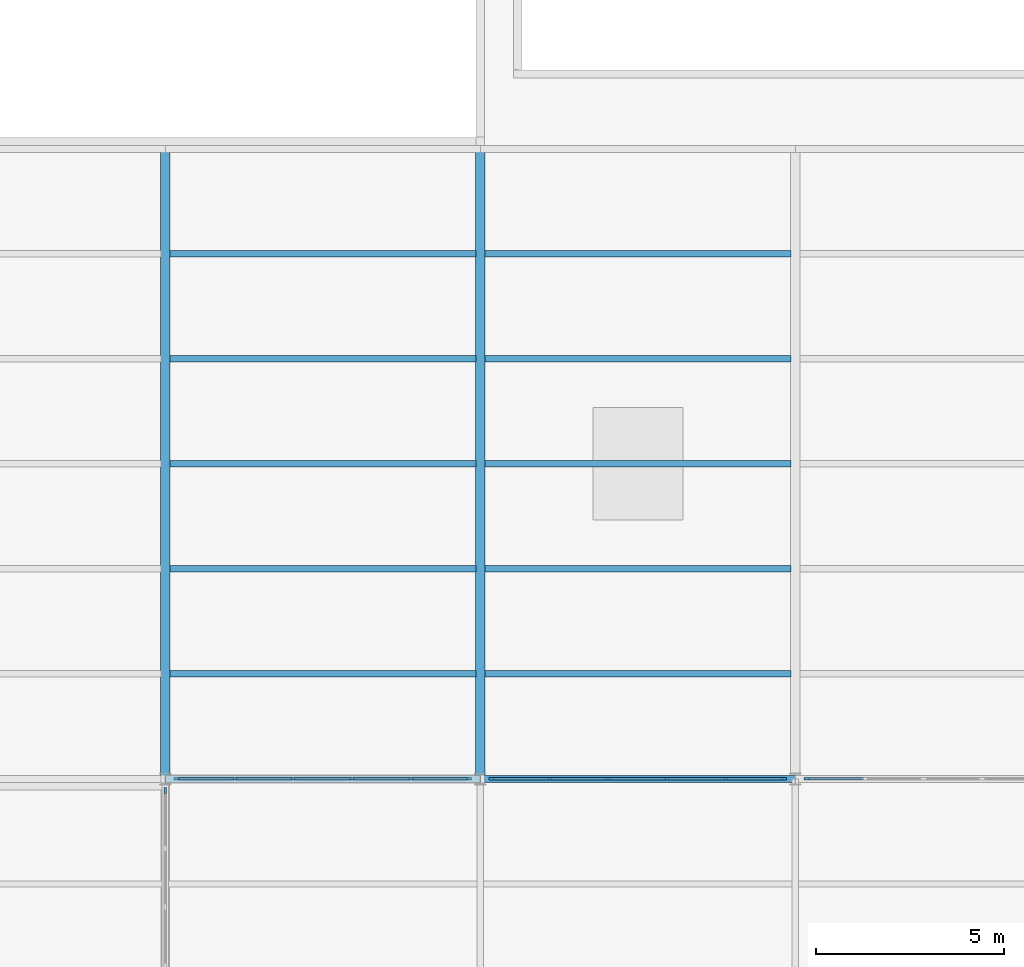
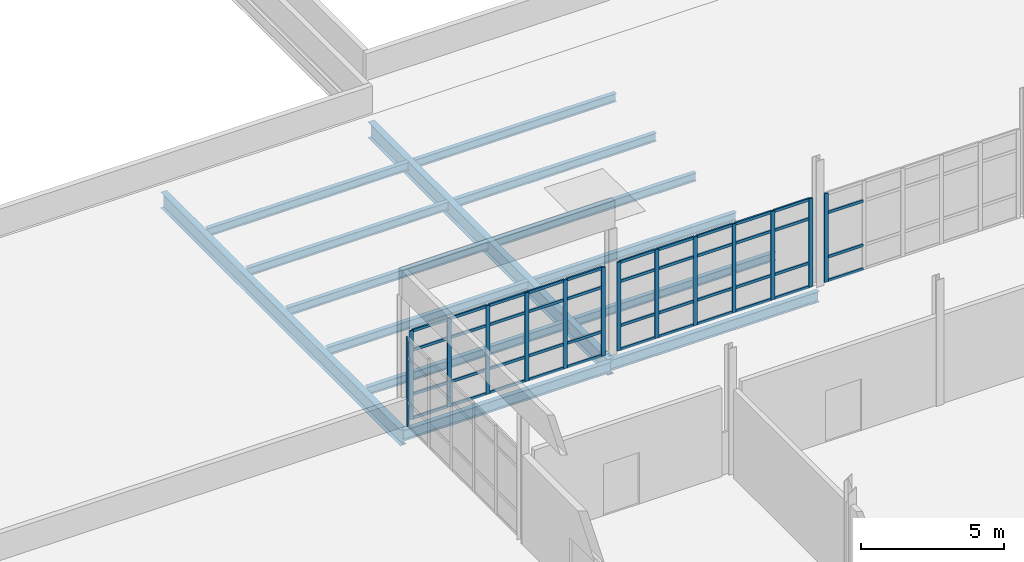
# One storey, part 18 of 33: 57 members, 14 beams, 4 elements without a shape of their own.
"""IFC4 building model written with IfcOpenShell, lengths in metres."""

import ifcopenshell
import ifcopenshell.guid

model = None  # the IFC model being written
_history = None  # IfcOwnerHistory: only IFC2X3 demands one
_inside = {}  # id of a spatial element -> (the spatial element, [elements in it])
_under = {}  # id of a project, library or spatial element -> (it, [spatial elements below it])
_declared = {}  # id of a project -> (the project, [libraries it declares])
_typed = {}  # id of a type object -> (the type object, [elements of that type])
_made_of = {}  # id of a material, layer set ... -> (it, [elements and type objects made of it])


def new_model(schema):
    """Start an empty IFC model of exactly this schema.

    Asked for "IFC4X3", IfcOpenShell would pick the latest addendum, in which some entities
    have other attributes; the version numbers below select the first issue.
    IFC2X3 requires an IfcOwnerHistory on every rooted entity: one is made here for all.
    """
    global model, _history
    if schema == "IFC4X3":
        model = ifcopenshell.file(schema_version=(4, 3, 0, 0))
    else:
        model = ifcopenshell.file(schema=schema)
    _inside.clear()
    _under.clear()
    _declared.clear()
    _typed.clear()
    _made_of.clear()
    _history = None
    if model.schema == "IFC2X3":
        org = make("IfcOrganization", Name="unknown")
        user = make(
            "IfcPersonAndOrganization",
            ThePerson=make("IfcPerson", FamilyName="unknown"),
            TheOrganization=org,
        )
        app = make(
            "IfcApplication",
            ApplicationDeveloper=org,
            Version="unknown",
            ApplicationFullName="unknown",
            ApplicationIdentifier="unknown",
        )
        _history = make(
            "IfcOwnerHistory",
            OwningUser=user,
            OwningApplication=app,
            ChangeAction="ADDED",
            CreationDate=0,
        )
    return model


def make(cls, **values):
    """One entity of the class cls with the attributes given. An attribute that is None is left unset."""
    return model.create_entity(
        cls, **{name: value for name, value in values.items() if value is not None}
    )


def rooted(cls, **values):
    """An entity with a GlobalId (a new one), such as an element, a storey or a relation."""
    return make(cls, GlobalId=ifcopenshell.guid.new(), OwnerHistory=_history, **values)


def si_unit(unit_type, name, prefix=None):
    """IfcSIUnit, for example si_unit("LENGTHUNIT", "METRE", prefix="MILLI")."""
    return make("IfcSIUnit", UnitType=unit_type, Prefix=prefix, Name=name)


def assignment(units):
    """IfcUnitAssignment: the units of a project."""
    return None if units is None else make("IfcUnitAssignment", Units=units)


def point(xyz):
    """IfcCartesianPoint."""
    return None if xyz is None else make("IfcCartesianPoint", Coordinates=xyz)


def direction(xyz):
    """IfcDirection."""
    return None if xyz is None else make("IfcDirection", DirectionRatios=xyz)


def frame(location, z_axis=None, x_axis=None):
    """IfcAxis2Placement3D, a coordinate frame: its origin and axes. An axis left out is left unset."""
    return make(
        "IfcAxis2Placement3D",
        Location=point(location),
        Axis=direction(z_axis),
        RefDirection=direction(x_axis),
    )


def frame_2d(location, x_axis=None):
    """IfcAxis2Placement2D, a coordinate frame in the plane: its origin and x axis."""
    return make(
        "IfcAxis2Placement2D", Location=point(location), RefDirection=direction(x_axis)
    )


def origin():
    """The frame at (0, 0, 0) with its axes left unset."""
    return frame((0.0, 0.0, 0.0))


def origin_2d():
    """The frame at (0, 0) in the plane with its x axis left unset."""
    return frame_2d((0.0, 0.0))


def place(relative_to, where):
    """IfcLocalPlacement: puts the frame where relative to a parent placement (None: the world)."""
    return make(
        "IfcLocalPlacement", PlacementRelTo=relative_to, RelativePlacement=where
    )


def context(
    kind, dimensions, precision=None, world=None, true_north=None, identifier=None
):
    """IfcGeometricRepresentationContext, for example the 3D "Model" context."""
    return make(
        "IfcGeometricRepresentationContext",
        ContextIdentifier=identifier,
        ContextType=kind,
        CoordinateSpaceDimension=dimensions,
        Precision=precision,
        WorldCoordinateSystem=world,
        TrueNorth=true_north,
    )


def subcontext(parent, identifier, kind, view, scale=None):
    """IfcGeometricRepresentationSubContext, for example "Body" below "Model"."""
    return make(
        "IfcGeometricRepresentationSubContext",
        ContextIdentifier=identifier,
        ContextType=kind,
        ParentContext=parent,
        TargetScale=scale,
        TargetView=view,
    )


def project(units=None, contexts=None):
    """IfcProject with its units and contexts."""
    return rooted(
        "IfcProject",
        Name="project",
        RepresentationContexts=contexts,
        UnitsInContext=assignment(units),
    )


def spatial(cls, under=None, at=None, **own):
    """A site, building, storey or space (cls), placed at a placement, below another one or the project."""
    s = rooted(cls, ObjectPlacement=at, **own)
    if under is not None:
        _under.setdefault(under.id(), (under, []))[1].append(s)
    return s


def profile(cls, at=None, kind="AREA", **sizes):
    """A parametric profile (cls). Its sizes go by their IFC names, for example OverallWidth=200.0."""
    return make(cls, ProfileType=kind, Position=at, **sizes)


def rectangle(**sizes):
    """IfcRectangleProfileDef."""
    return profile("IfcRectangleProfileDef", **sizes)


def i_section(**sizes):
    """IfcIShapeProfileDef."""
    return profile("IfcIShapeProfileDef", **sizes)


def extrude(swept, where, along, depth):
    """IfcExtrudedAreaSolid: the profile swept, set in the frame where, extruded along a direction by depth."""
    return make(
        "IfcExtrudedAreaSolid",
        SweptArea=swept,
        Position=where,
        ExtrudedDirection=direction(along),
        Depth=depth,
    )


def shape(context_of_items, identifier, shape_type, items):
    """IfcShapeRepresentation: the items that make up one representation, for example the "Body"."""
    return make(
        "IfcShapeRepresentation",
        ContextOfItems=context_of_items,
        RepresentationIdentifier=identifier,
        RepresentationType=shape_type,
        Items=items,
    )


def material(Name=None, Category=None):
    """IfcMaterial."""
    return make("IfcMaterial", Name=Name, Category=Category)


def layer(
    of_material, thickness, ventilated=None, Name=None, Category=None, Priority=None
):
    """IfcMaterialLayer: one layer of a wall or slab, of a material (None: an air gap)."""
    return make(
        "IfcMaterialLayer",
        Material=of_material,
        LayerThickness=thickness,
        IsVentilated=ventilated,
        Name=Name,
        Category=Category,
        Priority=Priority,
    )


def layer_set(layers, Name=None):
    """IfcMaterialLayerSet."""
    return make("IfcMaterialLayerSet", MaterialLayers=layers, LayerSetName=Name)


def material_profile(
    of_material, cross_section, Name=None, Category=None, Priority=None
):
    """IfcMaterialProfile: a cross section and its material."""
    return make(
        "IfcMaterialProfile",
        Name=Name,
        Material=of_material,
        Profile=cross_section,
        Priority=Priority,
        Category=Category,
    )


def profile_set(profiles, Name=None, composite=None):
    """IfcMaterialProfileSet."""
    return make(
        "IfcMaterialProfileSet",
        Name=Name,
        MaterialProfiles=profiles,
        CompositeProfile=composite,
    )


def made_of(thing, what):
    """Note that an element or type object is made of a material, layer set ...; save() writes the relation."""
    if what is not None:
        _made_of.setdefault(what.id(), (what, []))[1].append(thing)
    return thing


def type_object(cls, material=None, **own):
    """A type object (cls), such as IfcWallType, which elements share."""
    return made_of(rooted(cls, **own), material)


def element(
    cls,
    number,
    at=None,
    inside=None,
    cuts=None,
    type_object=None,
    material=None,
    context=None,
    identifier="Body",
    shape_type=None,
    held_by="IfcProductDefinitionShape",
    body=None,
    shapes=None,
    **own,
):
    """One element of the class cls, such as IfcWall. Its Tag is "e" and its number.

    at: its placement. inside: the storey or other place that contains it. cuts: it is an
    opening in that element (IfcRelVoidsElement). A single representation is given by context,
    identifier, shape_type and body (its items); several are given by shapes. held_by: the class
    of the entity that holds the representations. save() writes the other relations.
    """
    e = rooted(cls, Tag="e%d" % number, ObjectPlacement=at, **own)
    if body is not None:
        shapes = [shape(context, identifier, shape_type, body)]
    if shapes is not None:
        e.Representation = make(held_by, Representations=shapes)
    if inside is not None:
        _inside.setdefault(inside.id(), (inside, []))[1].append(e)
    if cuts is not None:
        rooted(
            "IfcRelVoidsElement", RelatingBuildingElement=cuts, RelatedOpeningElement=e
        )
    if type_object is not None:
        _typed.setdefault(type_object.id(), (type_object, []))[1].append(e)
    return made_of(e, material)


def aggregate(whole, parts):
    """IfcRelAggregates: a whole, such as a stair, and the parts it consists of."""
    return rooted("IfcRelAggregates", RelatingObject=whole, RelatedObjects=parts)


def save(model, path):
    """Write the relations noted so far, then the file.

    IfcRelAggregates (storeys below a building ...), IfcRelContainedInSpatialStructure (elements
    in a storey), IfcRelDefinesByType, IfcRelAssociatesMaterial and IfcRelDeclares: one each for
    every whole, place, type object, material and project.
    """
    for whole, parts in _under.values():
        aggregate(whole, parts)
    for where, things in _inside.values():
        rooted(
            "IfcRelContainedInSpatialStructure",
            RelatedElements=things,
            RelatingStructure=where,
        )
    for kind, things in _typed.values():
        rooted("IfcRelDefinesByType", RelatedObjects=things, RelatingType=kind)
    for what, things in _made_of.values():
        rooted("IfcRelAssociatesMaterial", RelatedObjects=things, RelatingMaterial=what)
    for by, libraries in _declared.values():
        rooted("IfcRelDeclares", RelatingContext=by, RelatedDefinitions=libraries)
    model.write(path)


model = new_model("IFC4")

# Units and contexts
model_context = context("Model", 3, precision=1e-05, world=origin(), true_north=direction((0.0, 1.0)))
body_context = subcontext(model_context, "Body", "Model", "MODEL_VIEW")
ifc_project = project(units=[si_unit("LENGTHUNIT", "METRE"), si_unit("AREAUNIT", "SQUARE_METRE"), si_unit("VOLUMEUNIT", "CUBIC_METRE"), si_unit("PLANEANGLEUNIT", "RADIAN"), si_unit("MASSUNIT", "GRAM", prefix="KILO"), si_unit("THERMODYNAMICTEMPERATUREUNIT", "KELVIN"), si_unit("POWERUNIT", "WATT")], contexts=[model_context])

# Site, building, storey
site_placement = place(None, origin())
site = spatial("IfcSite", under=ifc_project, at=site_placement, CompositionType="ELEMENT")
building_placement = place(site_placement, origin())
building = spatial("IfcBuilding", under=site, at=building_placement, Name="Tembeka Court Mobility Hub", CompositionType="ELEMENT")
storey_placement = place(building_placement, frame((0.0, 0.0, 23.39990234375)))
storey = spatial("IfcBuildingStorey", under=building, at=storey_placement, Name="L06", CompositionType="ELEMENT", Elevation=23.39990234375)

# Beams
ifc_material_1 = material(Name="Steel S355", Category="steel")
ifc_material_profile_1 = material_profile(ifc_material_1, i_section(OverallWidth=0.18994140625, OverallDepth=0.45703125, WebThickness=0.009033203125, FlangeThickness=0.014404296875, FilletRadius=0.01025390625, at=origin_2d()), Name="UKB 457x191x74")
ifc_profile_set_1 = profile_set([ifc_material_profile_1], Name="Steel S355")
beam_type_1 = type_object("IfcBeamType", Name="BM-B01", PredefinedType="BEAM", material=ifc_profile_set_1)
for number, where, z_axis, x_axis, name in (
    (1, (33.60009765625, 80.39990234375, -0.54833984375), (1.0, 0.0, 0.0), (0.0, 1.0, 0.0), "Beam B01 (BM-L06-X3166)"),
    (2, (42.0, 80.39990234375, -0.478515625), (1.0, 0.0, 0.0), (0.0, 1.0, 0.0), "Beam B01 (BM-L06-X3167)"),
):
    element("IfcBeam", number, at=place(storey_placement, frame(where, z_axis=z_axis, x_axis=x_axis)), inside=storey, type_object=beam_type_1, Name=name, PredefinedType="BEAM", context=body_context, shape_type="SweptSolid", body=[
        extrude(i_section(OverallWidth=0.18994140625, OverallDepth=0.45703125, WebThickness=0.009033203125, FlangeThickness=0.014404296875, FilletRadius=0.01025390625, at=origin_2d()), origin(), (0.0, 0.0, 1.0), 8.39990234375),
    ])
ifc_material_profile_2 = material_profile(ifc_material_1, i_section(OverallWidth=0.25390625, OverallDepth=0.68408203125, WebThickness=0.012451171875, FlangeThickness=0.01904296875, FilletRadius=0.01513671875, at=origin_2d()), Name="UKB 686x254x140")
ifc_profile_set_2 = profile_set([ifc_material_profile_2], Name="Steel S355")
beam_type_2 = type_object("IfcBeamType", Name="BM-G01", PredefinedType="USERDEFINED", material=ifc_profile_set_2)
for number, where, z_axis, x_axis, name in (
    (3, (33.60009765625, 80.39990234375, -0.661865234375), (0.0, 1.0, 0.0), (-1.0, 0.0, 0.0), "Beam G01 (BM-L06-Y3237)"),
    (4, (42.0, 80.39990234375, -0.591796875), (0.0, 1.0, 0.0), (-1.0, 0.0, 0.0), "Beam G01 (BM-L06-Y3245)"),
):
    element("IfcBeam", number, at=place(storey_placement, frame(where, z_axis=z_axis, x_axis=x_axis)), inside=storey, type_object=beam_type_2, Name=name, ObjectType="GIRDER", PredefinedType="USERDEFINED", context=body_context, shape_type="SweptSolid", body=[
        extrude(i_section(OverallWidth=0.25390625, OverallDepth=0.68408203125, WebThickness=0.012451171875, FlangeThickness=0.01904296875, FilletRadius=0.01513671875, at=origin_2d()), origin(), (0.0, 0.0, 1.0), 16.800048828125),
    ])
ifc_material_profile_3 = material_profile(ifc_material_1, i_section(OverallWidth=0.172119140625, OverallDepth=0.35498046875, WebThickness=0.00732421875, FlangeThickness=0.011474609375, FilletRadius=0.01025390625, at=origin_2d()), Name="UKB 356x171x51")
ifc_profile_set_3 = profile_set([ifc_material_profile_3], Name="Steel S355")
beam_type_3 = type_object("IfcBeamType", Name="BM-J01", PredefinedType="JOIST", material=ifc_profile_set_3)
for number, where, z_axis, x_axis, name in (
    (5, (33.721923828125, 83.199951171875, -0.407470703125), (1.0, 0.0, 0.0), (0.0, 1.0, 0.0), "Beam J01 (JST-L06-3380)"),
    (6, (33.721923828125, 86.0, -0.407470703125), (1.0, 0.0, 0.0), (0.0, 1.0, 0.0), "Beam J01 (JST-L06-3381)"),
    (7, (33.721923828125, 88.800048828125, -0.407470703125), (1.0, 0.0, 0.0), (0.0, 1.0, 0.0), "Beam J01 (JST-L06-3382)"),
    (8, (33.721923828125, 91.60009765625, -0.407470703125), (1.0, 0.0, 0.0), (0.0, 1.0, 0.0), "Beam J01 (JST-L06-3383)"),
    (9, (33.721923828125, 94.39990234375, -0.407470703125), (1.0, 0.0, 0.0), (0.0, 1.0, 0.0), "Beam J01 (JST-L06-3384)"),
    (10, (42.1220703125, 83.199951171875, -0.407470703125), (1.0, 0.0, 0.0), (0.0, 1.0, 0.0), "Beam J01 (JST-L06-3398)"),
    (11, (42.1220703125, 86.0, -0.407470703125), (1.0, 0.0, 0.0), (0.0, 1.0, 0.0), "Beam J01 (JST-L06-3399)"),
    (12, (42.1220703125, 88.800048828125, -0.407470703125), (1.0, 0.0, 0.0), (0.0, 1.0, 0.0), "Beam J01 (JST-L06-3400)"),
    (13, (42.1220703125, 91.60009765625, -0.407470703125), (1.0, 0.0, 0.0), (0.0, 1.0, 0.0), "Beam J01 (JST-L06-3401)"),
    (14, (42.1220703125, 94.39990234375, -0.407470703125), (1.0, 0.0, 0.0), (0.0, 1.0, 0.0), "Beam J01 (JST-L06-3402)"),
):
    element("IfcBeam", number, at=place(storey_placement, frame(where, z_axis=z_axis, x_axis=x_axis)), inside=storey, type_object=beam_type_3, Name=name, PredefinedType="JOIST", context=body_context, shape_type="SweptSolid", body=[
        extrude(i_section(OverallWidth=0.172119140625, OverallDepth=0.35498046875, WebThickness=0.00732421875, FlangeThickness=0.011474609375, FilletRadius=0.01025390625, at=origin_2d()), origin(), (0.0, 0.0, 1.0), 8.156005859375),
    ])

# Curtain wall, member
ifc_material_2 = material(Name="Anodised aluminium 6063-T6", Category="aluminium")
ifc_layer = layer(ifc_material_2, 0.159912109375)
ifc_layer_set = layer_set([ifc_layer], Name="Anodised aluminium 6063-T6")
curtain_wall_type = type_object("IfcCurtainWallType", Name="CW-SYS57", PredefinedType="USERDEFINED", material=ifc_layer_set)
curtain_wall_1_placement = place(storey_placement, origin())
curtain_wall_1 = element("IfcCurtainWall", 15, at=curtain_wall_1_placement, inside=storey, type_object=curtain_wall_type, Name="Unitised curtain wall CW57 (CW-L06-151)", ObjectType="UNITISED GLAZING", PredefinedType="USERDEFINED")
ifc_material_profile_4 = material_profile(ifc_material_2, rectangle(XDim=0.06494140625, YDim=0.159912109375, at=origin_2d()), Name="ALU-MUL 65x160")
ifc_profile_set_4 = profile_set([ifc_material_profile_4], Name="Anodised aluminium 6063-T6")
member_type_1 = type_object("IfcMemberType", Name="CW-MUL01", PredefinedType="MULLION", material=ifc_profile_set_4)
member_1_placement = place(storey_placement, frame((33.60009765625, 80.08740234375, 0.0), z_axis=(0.0, 0.0, 1.0), x_axis=(-1.0, 0.0, 0.0)))
member_1 = element("IfcMember", 16, at=member_1_placement, type_object=member_type_1, Name="CW57 mullion 6", PredefinedType="MULLION", context=body_context, shape_type="SweptSolid", body=[
    extrude(rectangle(XDim=0.06494140625, YDim=0.159912109375, at=origin_2d()), origin(), (0.0, 0.0, 1.0), 3.795166015625),
])
aggregate(curtain_wall_1, [member_1])

# Curtain wall, members
curtain_wall_2_placement = place(storey_placement, origin())
curtain_wall_2 = element("IfcCurtainWall", 17, at=curtain_wall_2_placement, inside=storey, type_object=curtain_wall_type, Name="Unitised curtain wall CW57 (CW-L06-153)", ObjectType="UNITISED GLAZING", PredefinedType="USERDEFINED")
member_2_placement = place(storey_placement, frame((33.91259765625, 80.39990234375, 0.0), z_axis=(0.0, 0.0, 1.0), x_axis=(0.0, 1.0, 0.0)))
member_2 = element("IfcMember", 18, at=member_2_placement, type_object=member_type_1, Name="CW57 mullion 1", PredefinedType="MULLION", context=body_context, shape_type="SweptSolid", body=[
    extrude(rectangle(XDim=0.06494140625, YDim=0.159912109375, at=origin_2d()), origin(), (0.0, 0.0, 1.0), 3.795166015625),
])
member_3_placement = place(storey_placement, frame((35.447998046875, 80.39990234375, 0.0), z_axis=(0.0, 0.0, 1.0), x_axis=(0.0, 1.0, 0.0)))
member_3 = element("IfcMember", 19, at=member_3_placement, type_object=member_type_1, Name="CW57 mullion 2", PredefinedType="MULLION", context=body_context, shape_type="SweptSolid", body=[
    extrude(rectangle(XDim=0.06494140625, YDim=0.159912109375, at=origin_2d()), origin(), (0.0, 0.0, 1.0), 3.795166015625),
])
member_4_placement = place(storey_placement, frame((37.01611328125, 80.39990234375, 0.0), z_axis=(0.0, 0.0, 1.0), x_axis=(0.0, 1.0, 0.0)))
member_4 = element("IfcMember", 20, at=member_4_placement, type_object=member_type_1, Name="CW57 mullion 3", PredefinedType="MULLION", context=body_context, shape_type="SweptSolid", body=[
    extrude(rectangle(XDim=0.06494140625, YDim=0.159912109375, at=origin_2d()), origin(), (0.0, 0.0, 1.0), 3.795166015625),
])
member_5_placement = place(storey_placement, frame((38.583984375, 80.39990234375, 0.0), z_axis=(0.0, 0.0, 1.0), x_axis=(0.0, 1.0, 0.0)))
member_5 = element("IfcMember", 21, at=member_5_placement, type_object=member_type_1, Name="CW57 mullion 4", PredefinedType="MULLION", context=body_context, shape_type="SweptSolid", body=[
    extrude(rectangle(XDim=0.06494140625, YDim=0.159912109375, at=origin_2d()), origin(), (0.0, 0.0, 1.0), 3.795166015625),
])
member_6_placement = place(storey_placement, frame((40.152099609375, 80.39990234375, 0.0), z_axis=(0.0, 0.0, 1.0), x_axis=(0.0, 1.0, 0.0)))
member_6 = element("IfcMember", 22, at=member_6_placement, type_object=member_type_1, Name="CW57 mullion 5", PredefinedType="MULLION", context=body_context, shape_type="SweptSolid", body=[
    extrude(rectangle(XDim=0.06494140625, YDim=0.159912109375, at=origin_2d()), origin(), (0.0, 0.0, 1.0), 3.795166015625),
])
member_7_placement = place(storey_placement, frame((41.6875, 80.39990234375, 0.0), z_axis=(0.0, 0.0, 1.0), x_axis=(0.0, 1.0, 0.0)))
member_7 = element("IfcMember", 23, at=member_7_placement, type_object=member_type_1, Name="CW57 mullion 6", PredefinedType="MULLION", context=body_context, shape_type="SweptSolid", body=[
    extrude(rectangle(XDim=0.06494140625, YDim=0.159912109375, at=origin_2d()), origin(), (0.0, 0.0, 1.0), 3.795166015625),
])

curtain_wall_3_placement = place(storey_placement, origin())
curtain_wall_3 = element("IfcCurtainWall", 24, at=curtain_wall_3_placement, inside=storey, type_object=curtain_wall_type, Name="Unitised curtain wall CW57 (CW-L06-155)", ObjectType="UNITISED GLAZING", PredefinedType="USERDEFINED")
member_8_placement = place(storey_placement, frame((42.3125, 80.39990234375, 0.0), z_axis=(0.0, 0.0, 1.0), x_axis=(0.0, 1.0, 0.0)))
member_8 = element("IfcMember", 25, at=member_8_placement, type_object=member_type_1, Name="CW57 mullion 1", PredefinedType="MULLION", context=body_context, shape_type="SweptSolid", body=[
    extrude(rectangle(XDim=0.06494140625, YDim=0.159912109375, at=origin_2d()), origin(), (0.0, 0.0, 1.0), 3.795166015625),
])
member_9_placement = place(storey_placement, frame((43.847900390625, 80.39990234375, 0.0), z_axis=(0.0, 0.0, 1.0), x_axis=(0.0, 1.0, 0.0)))
member_9 = element("IfcMember", 26, at=member_9_placement, type_object=member_type_1, Name="CW57 mullion 2", PredefinedType="MULLION", context=body_context, shape_type="SweptSolid", body=[
    extrude(rectangle(XDim=0.06494140625, YDim=0.159912109375, at=origin_2d()), origin(), (0.0, 0.0, 1.0), 3.795166015625),
])
member_10_placement = place(storey_placement, frame((45.416015625, 80.39990234375, 0.0), z_axis=(0.0, 0.0, 1.0), x_axis=(0.0, 1.0, 0.0)))
member_10 = element("IfcMember", 27, at=member_10_placement, type_object=member_type_1, Name="CW57 mullion 3", PredefinedType="MULLION", context=body_context, shape_type="SweptSolid", body=[
    extrude(rectangle(XDim=0.06494140625, YDim=0.159912109375, at=origin_2d()), origin(), (0.0, 0.0, 1.0), 3.795166015625),
])
member_11_placement = place(storey_placement, frame((46.98388671875, 80.39990234375, 0.0), z_axis=(0.0, 0.0, 1.0), x_axis=(0.0, 1.0, 0.0)))
member_11 = element("IfcMember", 28, at=member_11_placement, type_object=member_type_1, Name="CW57 mullion 4", PredefinedType="MULLION", context=body_context, shape_type="SweptSolid", body=[
    extrude(rectangle(XDim=0.06494140625, YDim=0.159912109375, at=origin_2d()), origin(), (0.0, 0.0, 1.0), 3.795166015625),
])
member_12_placement = place(storey_placement, frame((48.552001953125, 80.39990234375, 0.0), z_axis=(0.0, 0.0, 1.0), x_axis=(0.0, 1.0, 0.0)))
member_12 = element("IfcMember", 29, at=member_12_placement, type_object=member_type_1, Name="CW57 mullion 5", PredefinedType="MULLION", context=body_context, shape_type="SweptSolid", body=[
    extrude(rectangle(XDim=0.06494140625, YDim=0.159912109375, at=origin_2d()), origin(), (0.0, 0.0, 1.0), 3.795166015625),
])
member_13_placement = place(storey_placement, frame((50.08740234375, 80.39990234375, 0.0), z_axis=(0.0, 0.0, 1.0), x_axis=(0.0, 1.0, 0.0)))
member_13 = element("IfcMember", 30, at=member_13_placement, type_object=member_type_1, Name="CW57 mullion 6", PredefinedType="MULLION", context=body_context, shape_type="SweptSolid", body=[
    extrude(rectangle(XDim=0.06494140625, YDim=0.159912109375, at=origin_2d()), origin(), (0.0, 0.0, 1.0), 3.795166015625),
])

# Curtain wall, member
curtain_wall_4_placement = place(storey_placement, origin())
curtain_wall_4 = element("IfcCurtainWall", 31, at=curtain_wall_4_placement, inside=storey, type_object=curtain_wall_type, Name="Unitised curtain wall CW57 (CW-L06-157)", ObjectType="UNITISED GLAZING", PredefinedType="USERDEFINED")
member_14_placement = place(storey_placement, frame((50.71240234375, 80.39990234375, 0.0), z_axis=(0.0, 0.0, 1.0), x_axis=(0.0, 1.0, 0.0)))
member_14 = element("IfcMember", 32, at=member_14_placement, type_object=member_type_1, Name="CW57 mullion 1", PredefinedType="MULLION", context=body_context, shape_type="SweptSolid", body=[
    extrude(rectangle(XDim=0.06494140625, YDim=0.159912109375, at=origin_2d()), origin(), (0.0, 0.0, 1.0), 3.795166015625),
])

# Member
ifc_material_profile_5 = material_profile(ifc_material_2, rectangle(XDim=0.06494140625, YDim=0.1201171875, at=origin_2d()), Name="ALU-TRN 65x120")
ifc_profile_set_5 = profile_set([ifc_material_profile_5], Name="Anodised aluminium 6063-T6")
member_type_2 = type_object("IfcMemberType", Name="CW-TRN01", PredefinedType="USERDEFINED", material=ifc_profile_set_5)
member_15_placement = place(storey_placement, frame((33.945068359375, 80.39990234375, 0.03271484375), z_axis=(1.0, 0.0, 0.0), x_axis=(0.0, 1.0, 0.0)))
member_15 = element("IfcMember", 33, at=member_15_placement, type_object=member_type_2, Name="CW57 transom 1.1", ObjectType="TRANSOM", PredefinedType="USERDEFINED", context=body_context, shape_type="SweptSolid", body=[
    extrude(rectangle(XDim=0.06494140625, YDim=0.1201171875, at=origin_2d()), origin(), (0.0, 0.0, 1.0), 1.470458984375),
])

member_16_placement = place(storey_placement, frame((33.945068359375, 80.39990234375, 1.050048828125), z_axis=(1.0, 0.0, 0.0), x_axis=(0.0, 1.0, 0.0)))
member_16 = element("IfcMember", 34, at=member_16_placement, type_object=member_type_2, Name="CW57 transom 1.2", ObjectType="TRANSOM", PredefinedType="USERDEFINED", context=body_context, shape_type="SweptSolid", body=[
    extrude(rectangle(XDim=0.06494140625, YDim=0.1201171875, at=origin_2d()), origin(), (0.0, 0.0, 1.0), 1.470458984375),
])

member_17_placement = place(storey_placement, frame((33.945068359375, 80.39990234375, 2.945068359375), z_axis=(1.0, 0.0, 0.0), x_axis=(0.0, 1.0, 0.0)))
member_17 = element("IfcMember", 35, at=member_17_placement, type_object=member_type_2, Name="CW57 transom 1.3", ObjectType="TRANSOM", PredefinedType="USERDEFINED", context=body_context, shape_type="SweptSolid", body=[
    extrude(rectangle(XDim=0.06494140625, YDim=0.1201171875, at=origin_2d()), origin(), (0.0, 0.0, 1.0), 1.470458984375),
])

member_18_placement = place(storey_placement, frame((33.945068359375, 80.39990234375, 3.7626953125), z_axis=(1.0, 0.0, 0.0), x_axis=(0.0, 1.0, 0.0)))
member_18 = element("IfcMember", 36, at=member_18_placement, type_object=member_type_2, Name="CW57 transom 1.4", ObjectType="TRANSOM", PredefinedType="USERDEFINED", context=body_context, shape_type="SweptSolid", body=[
    extrude(rectangle(XDim=0.06494140625, YDim=0.1201171875, at=origin_2d()), origin(), (0.0, 0.0, 1.0), 1.470458984375),
])

member_19_placement = place(storey_placement, frame((35.48046875, 80.39990234375, 0.03271484375), z_axis=(1.0, 0.0, 0.0), x_axis=(0.0, 1.0, 0.0)))
member_19 = element("IfcMember", 37, at=member_19_placement, type_object=member_type_2, Name="CW57 transom 2.1", ObjectType="TRANSOM", PredefinedType="USERDEFINED", context=body_context, shape_type="SweptSolid", body=[
    extrude(rectangle(XDim=0.06494140625, YDim=0.1201171875, at=origin_2d()), origin(), (0.0, 0.0, 1.0), 1.5029296875),
])

member_20_placement = place(storey_placement, frame((35.48046875, 80.39990234375, 1.050048828125), z_axis=(1.0, 0.0, 0.0), x_axis=(0.0, 1.0, 0.0)))
member_20 = element("IfcMember", 38, at=member_20_placement, type_object=member_type_2, Name="CW57 transom 2.2", ObjectType="TRANSOM", PredefinedType="USERDEFINED", context=body_context, shape_type="SweptSolid", body=[
    extrude(rectangle(XDim=0.06494140625, YDim=0.1201171875, at=origin_2d()), origin(), (0.0, 0.0, 1.0), 1.5029296875),
])

member_21_placement = place(storey_placement, frame((35.48046875, 80.39990234375, 2.945068359375), z_axis=(1.0, 0.0, 0.0), x_axis=(0.0, 1.0, 0.0)))
member_21 = element("IfcMember", 39, at=member_21_placement, type_object=member_type_2, Name="CW57 transom 2.3", ObjectType="TRANSOM", PredefinedType="USERDEFINED", context=body_context, shape_type="SweptSolid", body=[
    extrude(rectangle(XDim=0.06494140625, YDim=0.1201171875, at=origin_2d()), origin(), (0.0, 0.0, 1.0), 1.5029296875),
])

member_22_placement = place(storey_placement, frame((35.48046875, 80.39990234375, 3.7626953125), z_axis=(1.0, 0.0, 0.0), x_axis=(0.0, 1.0, 0.0)))
member_22 = element("IfcMember", 40, at=member_22_placement, type_object=member_type_2, Name="CW57 transom 2.4", ObjectType="TRANSOM", PredefinedType="USERDEFINED", context=body_context, shape_type="SweptSolid", body=[
    extrude(rectangle(XDim=0.06494140625, YDim=0.1201171875, at=origin_2d()), origin(), (0.0, 0.0, 1.0), 1.5029296875),
])

member_23_placement = place(storey_placement, frame((37.048583984375, 80.39990234375, 0.03271484375), z_axis=(1.0, 0.0, 0.0), x_axis=(0.0, 1.0, 0.0)))
member_23 = element("IfcMember", 41, at=member_23_placement, type_object=member_type_2, Name="CW57 transom 3.1", ObjectType="TRANSOM", PredefinedType="USERDEFINED", context=body_context, shape_type="SweptSolid", body=[
    extrude(rectangle(XDim=0.06494140625, YDim=0.1201171875, at=origin_2d()), origin(), (0.0, 0.0, 1.0), 1.5029296875),
])

member_24_placement = place(storey_placement, frame((37.048583984375, 80.39990234375, 1.050048828125), z_axis=(1.0, 0.0, 0.0), x_axis=(0.0, 1.0, 0.0)))
member_24 = element("IfcMember", 42, at=member_24_placement, type_object=member_type_2, Name="CW57 transom 3.2", ObjectType="TRANSOM", PredefinedType="USERDEFINED", context=body_context, shape_type="SweptSolid", body=[
    extrude(rectangle(XDim=0.06494140625, YDim=0.1201171875, at=origin_2d()), origin(), (0.0, 0.0, 1.0), 1.5029296875),
])

member_25_placement = place(storey_placement, frame((37.048583984375, 80.39990234375, 2.945068359375), z_axis=(1.0, 0.0, 0.0), x_axis=(0.0, 1.0, 0.0)))
member_25 = element("IfcMember", 43, at=member_25_placement, type_object=member_type_2, Name="CW57 transom 3.3", ObjectType="TRANSOM", PredefinedType="USERDEFINED", context=body_context, shape_type="SweptSolid", body=[
    extrude(rectangle(XDim=0.06494140625, YDim=0.1201171875, at=origin_2d()), origin(), (0.0, 0.0, 1.0), 1.5029296875),
])

member_26_placement = place(storey_placement, frame((37.048583984375, 80.39990234375, 3.7626953125), z_axis=(1.0, 0.0, 0.0), x_axis=(0.0, 1.0, 0.0)))
member_26 = element("IfcMember", 44, at=member_26_placement, type_object=member_type_2, Name="CW57 transom 3.4", ObjectType="TRANSOM", PredefinedType="USERDEFINED", context=body_context, shape_type="SweptSolid", body=[
    extrude(rectangle(XDim=0.06494140625, YDim=0.1201171875, at=origin_2d()), origin(), (0.0, 0.0, 1.0), 1.5029296875),
])

member_27_placement = place(storey_placement, frame((38.616455078125, 80.39990234375, 0.03271484375), z_axis=(1.0, 0.0, 0.0), x_axis=(0.0, 1.0, 0.0)))
member_27 = element("IfcMember", 45, at=member_27_placement, type_object=member_type_2, Name="CW57 transom 4.1", ObjectType="TRANSOM", PredefinedType="USERDEFINED", context=body_context, shape_type="SweptSolid", body=[
    extrude(rectangle(XDim=0.06494140625, YDim=0.1201171875, at=origin_2d()), origin(), (0.0, 0.0, 1.0), 1.5029296875),
])

member_28_placement = place(storey_placement, frame((38.616455078125, 80.39990234375, 1.050048828125), z_axis=(1.0, 0.0, 0.0), x_axis=(0.0, 1.0, 0.0)))
member_28 = element("IfcMember", 46, at=member_28_placement, type_object=member_type_2, Name="CW57 transom 4.2", ObjectType="TRANSOM", PredefinedType="USERDEFINED", context=body_context, shape_type="SweptSolid", body=[
    extrude(rectangle(XDim=0.06494140625, YDim=0.1201171875, at=origin_2d()), origin(), (0.0, 0.0, 1.0), 1.5029296875),
])

member_29_placement = place(storey_placement, frame((38.616455078125, 80.39990234375, 2.945068359375), z_axis=(1.0, 0.0, 0.0), x_axis=(0.0, 1.0, 0.0)))
member_29 = element("IfcMember", 47, at=member_29_placement, type_object=member_type_2, Name="CW57 transom 4.3", ObjectType="TRANSOM", PredefinedType="USERDEFINED", context=body_context, shape_type="SweptSolid", body=[
    extrude(rectangle(XDim=0.06494140625, YDim=0.1201171875, at=origin_2d()), origin(), (0.0, 0.0, 1.0), 1.5029296875),
])

member_30_placement = place(storey_placement, frame((38.616455078125, 80.39990234375, 3.7626953125), z_axis=(1.0, 0.0, 0.0), x_axis=(0.0, 1.0, 0.0)))
member_30 = element("IfcMember", 48, at=member_30_placement, type_object=member_type_2, Name="CW57 transom 4.4", ObjectType="TRANSOM", PredefinedType="USERDEFINED", context=body_context, shape_type="SweptSolid", body=[
    extrude(rectangle(XDim=0.06494140625, YDim=0.1201171875, at=origin_2d()), origin(), (0.0, 0.0, 1.0), 1.5029296875),
])

member_31_placement = place(storey_placement, frame((40.1845703125, 80.39990234375, 0.03271484375), z_axis=(1.0, 0.0, 0.0), x_axis=(0.0, 1.0, 0.0)))
member_31 = element("IfcMember", 49, at=member_31_placement, type_object=member_type_2, Name="CW57 transom 5.1", ObjectType="TRANSOM", PredefinedType="USERDEFINED", context=body_context, shape_type="SweptSolid", body=[
    extrude(rectangle(XDim=0.06494140625, YDim=0.1201171875, at=origin_2d()), origin(), (0.0, 0.0, 1.0), 1.470458984375),
])

member_32_placement = place(storey_placement, frame((40.1845703125, 80.39990234375, 1.050048828125), z_axis=(1.0, 0.0, 0.0), x_axis=(0.0, 1.0, 0.0)))
member_32 = element("IfcMember", 50, at=member_32_placement, type_object=member_type_2, Name="CW57 transom 5.2", ObjectType="TRANSOM", PredefinedType="USERDEFINED", context=body_context, shape_type="SweptSolid", body=[
    extrude(rectangle(XDim=0.06494140625, YDim=0.1201171875, at=origin_2d()), origin(), (0.0, 0.0, 1.0), 1.470458984375),
])

member_33_placement = place(storey_placement, frame((40.1845703125, 80.39990234375, 2.945068359375), z_axis=(1.0, 0.0, 0.0), x_axis=(0.0, 1.0, 0.0)))
member_33 = element("IfcMember", 51, at=member_33_placement, type_object=member_type_2, Name="CW57 transom 5.3", ObjectType="TRANSOM", PredefinedType="USERDEFINED", context=body_context, shape_type="SweptSolid", body=[
    extrude(rectangle(XDim=0.06494140625, YDim=0.1201171875, at=origin_2d()), origin(), (0.0, 0.0, 1.0), 1.470458984375),
])

member_34_placement = place(storey_placement, frame((40.1845703125, 80.39990234375, 3.7626953125), z_axis=(1.0, 0.0, 0.0), x_axis=(0.0, 1.0, 0.0)))
member_34 = element("IfcMember", 52, at=member_34_placement, type_object=member_type_2, Name="CW57 transom 5.4", ObjectType="TRANSOM", PredefinedType="USERDEFINED", context=body_context, shape_type="SweptSolid", body=[
    extrude(rectangle(XDim=0.06494140625, YDim=0.1201171875, at=origin_2d()), origin(), (0.0, 0.0, 1.0), 1.470458984375),
])

aggregate(curtain_wall_2, [member_2, member_3, member_4, member_5, member_6, member_7, member_15, member_16, member_17, member_18, member_19, member_20, member_21, member_22, member_23, member_24, member_25, member_26, member_27, member_28, member_29, member_30, member_31, member_32, member_33, member_34])

member_35_placement = place(storey_placement, frame((42.344970703125, 80.39990234375, 0.03271484375), z_axis=(1.0, 0.0, 0.0), x_axis=(0.0, 1.0, 0.0)))
member_35 = element("IfcMember", 53, at=member_35_placement, type_object=member_type_2, Name="CW57 transom 1.1", ObjectType="TRANSOM", PredefinedType="USERDEFINED", context=body_context, shape_type="SweptSolid", body=[
    extrude(rectangle(XDim=0.06494140625, YDim=0.1201171875, at=origin_2d()), origin(), (0.0, 0.0, 1.0), 1.470458984375),
])

member_36_placement = place(storey_placement, frame((42.344970703125, 80.39990234375, 1.050048828125), z_axis=(1.0, 0.0, 0.0), x_axis=(0.0, 1.0, 0.0)))
member_36 = element("IfcMember", 54, at=member_36_placement, type_object=member_type_2, Name="CW57 transom 1.2", ObjectType="TRANSOM", PredefinedType="USERDEFINED", context=body_context, shape_type="SweptSolid", body=[
    extrude(rectangle(XDim=0.06494140625, YDim=0.1201171875, at=origin_2d()), origin(), (0.0, 0.0, 1.0), 1.470458984375),
])

member_37_placement = place(storey_placement, frame((42.344970703125, 80.39990234375, 2.945068359375), z_axis=(1.0, 0.0, 0.0), x_axis=(0.0, 1.0, 0.0)))
member_37 = element("IfcMember", 55, at=member_37_placement, type_object=member_type_2, Name="CW57 transom 1.3", ObjectType="TRANSOM", PredefinedType="USERDEFINED", context=body_context, shape_type="SweptSolid", body=[
    extrude(rectangle(XDim=0.06494140625, YDim=0.1201171875, at=origin_2d()), origin(), (0.0, 0.0, 1.0), 1.470458984375),
])

member_38_placement = place(storey_placement, frame((42.344970703125, 80.39990234375, 3.7626953125), z_axis=(1.0, 0.0, 0.0), x_axis=(0.0, 1.0, 0.0)))
member_38 = element("IfcMember", 56, at=member_38_placement, type_object=member_type_2, Name="CW57 transom 1.4", ObjectType="TRANSOM", PredefinedType="USERDEFINED", context=body_context, shape_type="SweptSolid", body=[
    extrude(rectangle(XDim=0.06494140625, YDim=0.1201171875, at=origin_2d()), origin(), (0.0, 0.0, 1.0), 1.470458984375),
])

member_39_placement = place(storey_placement, frame((43.880615234375, 80.39990234375, 0.03271484375), z_axis=(1.0, 0.0, 0.0), x_axis=(0.0, 1.0, 0.0)))
member_39 = element("IfcMember", 57, at=member_39_placement, type_object=member_type_2, Name="CW57 transom 2.1", ObjectType="TRANSOM", PredefinedType="USERDEFINED", context=body_context, shape_type="SweptSolid", body=[
    extrude(rectangle(XDim=0.06494140625, YDim=0.1201171875, at=origin_2d()), origin(), (0.0, 0.0, 1.0), 1.5029296875),
])

member_40_placement = place(storey_placement, frame((43.880615234375, 80.39990234375, 1.050048828125), z_axis=(1.0, 0.0, 0.0), x_axis=(0.0, 1.0, 0.0)))
member_40 = element("IfcMember", 58, at=member_40_placement, type_object=member_type_2, Name="CW57 transom 2.2", ObjectType="TRANSOM", PredefinedType="USERDEFINED", context=body_context, shape_type="SweptSolid", body=[
    extrude(rectangle(XDim=0.06494140625, YDim=0.1201171875, at=origin_2d()), origin(), (0.0, 0.0, 1.0), 1.5029296875),
])

member_41_placement = place(storey_placement, frame((43.880615234375, 80.39990234375, 2.945068359375), z_axis=(1.0, 0.0, 0.0), x_axis=(0.0, 1.0, 0.0)))
member_41 = element("IfcMember", 59, at=member_41_placement, type_object=member_type_2, Name="CW57 transom 2.3", ObjectType="TRANSOM", PredefinedType="USERDEFINED", context=body_context, shape_type="SweptSolid", body=[
    extrude(rectangle(XDim=0.06494140625, YDim=0.1201171875, at=origin_2d()), origin(), (0.0, 0.0, 1.0), 1.5029296875),
])

member_42_placement = place(storey_placement, frame((43.880615234375, 80.39990234375, 3.7626953125), z_axis=(1.0, 0.0, 0.0), x_axis=(0.0, 1.0, 0.0)))
member_42 = element("IfcMember", 60, at=member_42_placement, type_object=member_type_2, Name="CW57 transom 2.4", ObjectType="TRANSOM", PredefinedType="USERDEFINED", context=body_context, shape_type="SweptSolid", body=[
    extrude(rectangle(XDim=0.06494140625, YDim=0.1201171875, at=origin_2d()), origin(), (0.0, 0.0, 1.0), 1.5029296875),
])

member_43_placement = place(storey_placement, frame((45.448486328125, 80.39990234375, 0.03271484375), z_axis=(1.0, 0.0, 0.0), x_axis=(0.0, 1.0, 0.0)))
member_43 = element("IfcMember", 61, at=member_43_placement, type_object=member_type_2, Name="CW57 transom 3.1", ObjectType="TRANSOM", PredefinedType="USERDEFINED", context=body_context, shape_type="SweptSolid", body=[
    extrude(rectangle(XDim=0.06494140625, YDim=0.1201171875, at=origin_2d()), origin(), (0.0, 0.0, 1.0), 1.5029296875),
])

member_44_placement = place(storey_placement, frame((45.448486328125, 80.39990234375, 1.050048828125), z_axis=(1.0, 0.0, 0.0), x_axis=(0.0, 1.0, 0.0)))
member_44 = element("IfcMember", 62, at=member_44_placement, type_object=member_type_2, Name="CW57 transom 3.2", ObjectType="TRANSOM", PredefinedType="USERDEFINED", context=body_context, shape_type="SweptSolid", body=[
    extrude(rectangle(XDim=0.06494140625, YDim=0.1201171875, at=origin_2d()), origin(), (0.0, 0.0, 1.0), 1.5029296875),
])

member_45_placement = place(storey_placement, frame((45.448486328125, 80.39990234375, 2.945068359375), z_axis=(1.0, 0.0, 0.0), x_axis=(0.0, 1.0, 0.0)))
member_45 = element("IfcMember", 63, at=member_45_placement, type_object=member_type_2, Name="CW57 transom 3.3", ObjectType="TRANSOM", PredefinedType="USERDEFINED", context=body_context, shape_type="SweptSolid", body=[
    extrude(rectangle(XDim=0.06494140625, YDim=0.1201171875, at=origin_2d()), origin(), (0.0, 0.0, 1.0), 1.5029296875),
])

member_46_placement = place(storey_placement, frame((45.448486328125, 80.39990234375, 3.7626953125), z_axis=(1.0, 0.0, 0.0), x_axis=(0.0, 1.0, 0.0)))
member_46 = element("IfcMember", 64, at=member_46_placement, type_object=member_type_2, Name="CW57 transom 3.4", ObjectType="TRANSOM", PredefinedType="USERDEFINED", context=body_context, shape_type="SweptSolid", body=[
    extrude(rectangle(XDim=0.06494140625, YDim=0.1201171875, at=origin_2d()), origin(), (0.0, 0.0, 1.0), 1.5029296875),
])

member_47_placement = place(storey_placement, frame((47.0166015625, 80.39990234375, 0.03271484375), z_axis=(1.0, 0.0, 0.0), x_axis=(0.0, 1.0, 0.0)))
member_47 = element("IfcMember", 65, at=member_47_placement, type_object=member_type_2, Name="CW57 transom 4.1", ObjectType="TRANSOM", PredefinedType="USERDEFINED", context=body_context, shape_type="SweptSolid", body=[
    extrude(rectangle(XDim=0.06494140625, YDim=0.1201171875, at=origin_2d()), origin(), (0.0, 0.0, 1.0), 1.5029296875),
])

member_48_placement = place(storey_placement, frame((47.0166015625, 80.39990234375, 1.050048828125), z_axis=(1.0, 0.0, 0.0), x_axis=(0.0, 1.0, 0.0)))
member_48 = element("IfcMember", 66, at=member_48_placement, type_object=member_type_2, Name="CW57 transom 4.2", ObjectType="TRANSOM", PredefinedType="USERDEFINED", context=body_context, shape_type="SweptSolid", body=[
    extrude(rectangle(XDim=0.06494140625, YDim=0.1201171875, at=origin_2d()), origin(), (0.0, 0.0, 1.0), 1.5029296875),
])

member_49_placement = place(storey_placement, frame((47.0166015625, 80.39990234375, 2.945068359375), z_axis=(1.0, 0.0, 0.0), x_axis=(0.0, 1.0, 0.0)))
member_49 = element("IfcMember", 67, at=member_49_placement, type_object=member_type_2, Name="CW57 transom 4.3", ObjectType="TRANSOM", PredefinedType="USERDEFINED", context=body_context, shape_type="SweptSolid", body=[
    extrude(rectangle(XDim=0.06494140625, YDim=0.1201171875, at=origin_2d()), origin(), (0.0, 0.0, 1.0), 1.5029296875),
])

member_50_placement = place(storey_placement, frame((47.0166015625, 80.39990234375, 3.7626953125), z_axis=(1.0, 0.0, 0.0), x_axis=(0.0, 1.0, 0.0)))
member_50 = element("IfcMember", 68, at=member_50_placement, type_object=member_type_2, Name="CW57 transom 4.4", ObjectType="TRANSOM", PredefinedType="USERDEFINED", context=body_context, shape_type="SweptSolid", body=[
    extrude(rectangle(XDim=0.06494140625, YDim=0.1201171875, at=origin_2d()), origin(), (0.0, 0.0, 1.0), 1.5029296875),
])

member_51_placement = place(storey_placement, frame((48.58447265625, 80.39990234375, 0.03271484375), z_axis=(1.0, 0.0, 0.0), x_axis=(0.0, 1.0, 0.0)))
member_51 = element("IfcMember", 69, at=member_51_placement, type_object=member_type_2, Name="CW57 transom 5.1", ObjectType="TRANSOM", PredefinedType="USERDEFINED", context=body_context, shape_type="SweptSolid", body=[
    extrude(rectangle(XDim=0.06494140625, YDim=0.1201171875, at=origin_2d()), origin(), (0.0, 0.0, 1.0), 1.470458984375),
])

member_52_placement = place(storey_placement, frame((48.58447265625, 80.39990234375, 1.050048828125), z_axis=(1.0, 0.0, 0.0), x_axis=(0.0, 1.0, 0.0)))
member_52 = element("IfcMember", 70, at=member_52_placement, type_object=member_type_2, Name="CW57 transom 5.2", ObjectType="TRANSOM", PredefinedType="USERDEFINED", context=body_context, shape_type="SweptSolid", body=[
    extrude(rectangle(XDim=0.06494140625, YDim=0.1201171875, at=origin_2d()), origin(), (0.0, 0.0, 1.0), 1.470458984375),
])

member_53_placement = place(storey_placement, frame((48.58447265625, 80.39990234375, 2.945068359375), z_axis=(1.0, 0.0, 0.0), x_axis=(0.0, 1.0, 0.0)))
member_53 = element("IfcMember", 71, at=member_53_placement, type_object=member_type_2, Name="CW57 transom 5.3", ObjectType="TRANSOM", PredefinedType="USERDEFINED", context=body_context, shape_type="SweptSolid", body=[
    extrude(rectangle(XDim=0.06494140625, YDim=0.1201171875, at=origin_2d()), origin(), (0.0, 0.0, 1.0), 1.470458984375),
])

member_54_placement = place(storey_placement, frame((48.58447265625, 80.39990234375, 3.7626953125), z_axis=(1.0, 0.0, 0.0), x_axis=(0.0, 1.0, 0.0)))
member_54 = element("IfcMember", 72, at=member_54_placement, type_object=member_type_2, Name="CW57 transom 5.4", ObjectType="TRANSOM", PredefinedType="USERDEFINED", context=body_context, shape_type="SweptSolid", body=[
    extrude(rectangle(XDim=0.06494140625, YDim=0.1201171875, at=origin_2d()), origin(), (0.0, 0.0, 1.0), 1.470458984375),
])

aggregate(curtain_wall_3, [member_8, member_9, member_10, member_11, member_12, member_13, member_35, member_36, member_37, member_38, member_39, member_40, member_41, member_42, member_43, member_44, member_45, member_46, member_47, member_48, member_49, member_50, member_51, member_52, member_53, member_54])

member_55_placement = place(storey_placement, frame((50.7451171875, 80.39990234375, 0.03271484375), z_axis=(1.0, 0.0, 0.0), x_axis=(0.0, 1.0, 0.0)))
member_55 = element("IfcMember", 73, at=member_55_placement, type_object=member_type_2, Name="CW57 transom 1.1", ObjectType="TRANSOM", PredefinedType="USERDEFINED", context=body_context, shape_type="SweptSolid", body=[
    extrude(rectangle(XDim=0.06494140625, YDim=0.1201171875, at=origin_2d()), origin(), (0.0, 0.0, 1.0), 1.470458984375),
])

member_56_placement = place(storey_placement, frame((50.7451171875, 80.39990234375, 1.050048828125), z_axis=(1.0, 0.0, 0.0), x_axis=(0.0, 1.0, 0.0)))
member_56 = element("IfcMember", 74, at=member_56_placement, type_object=member_type_2, Name="CW57 transom 1.2", ObjectType="TRANSOM", PredefinedType="USERDEFINED", context=body_context, shape_type="SweptSolid", body=[
    extrude(rectangle(XDim=0.06494140625, YDim=0.1201171875, at=origin_2d()), origin(), (0.0, 0.0, 1.0), 1.470458984375),
])

member_57_placement = place(storey_placement, frame((50.7451171875, 80.39990234375, 2.945068359375), z_axis=(1.0, 0.0, 0.0), x_axis=(0.0, 1.0, 0.0)))
member_57 = element("IfcMember", 75, at=member_57_placement, type_object=member_type_2, Name="CW57 transom 1.3", ObjectType="TRANSOM", PredefinedType="USERDEFINED", context=body_context, shape_type="SweptSolid", body=[
    extrude(rectangle(XDim=0.06494140625, YDim=0.1201171875, at=origin_2d()), origin(), (0.0, 0.0, 1.0), 1.470458984375),
])

aggregate(curtain_wall_4, [member_14, member_55, member_56, member_57])

save(model, "model.ifc")
